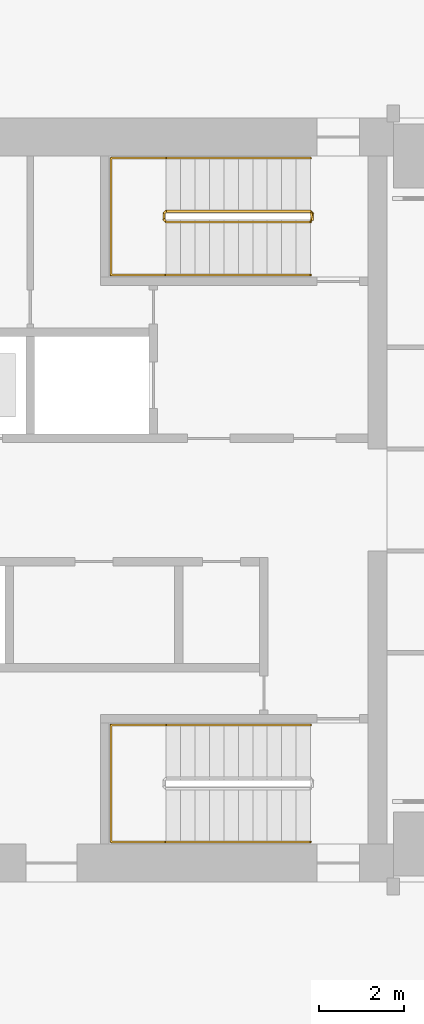
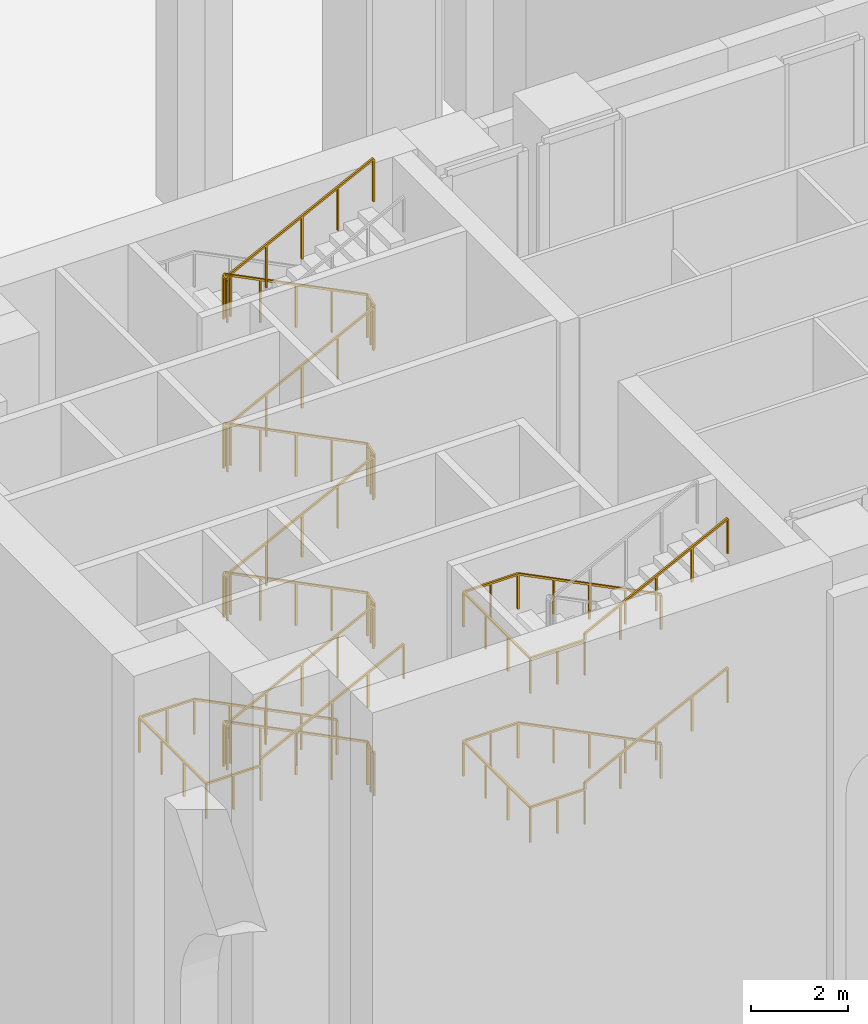
# One storey, part 13 of 18: 4 railings.
"""IFC4 building model written with IfcOpenShell, lengths in metres."""

from ifc_helpers import new_model, si_unit, direction, frame, origin, origin_2d, place, context, subcontext, project, spatial, rectangle, extrude, material, type_object, element, save


model = new_model("IFC4")

# Units and contexts
model_context = context("Model", 3, precision=1e-05, world=origin(), true_north=direction((0.0, 1.0)))
body_context = subcontext(model_context, "Body", "Model", "MODEL_VIEW")
ifc_project = project(units=[si_unit("LENGTHUNIT", "METRE"), si_unit("AREAUNIT", "SQUARE_METRE"), si_unit("VOLUMEUNIT", "CUBIC_METRE"), si_unit("PLANEANGLEUNIT", "RADIAN"), si_unit("MASSUNIT", "GRAM", prefix="KILO")], contexts=[model_context])

# Site, building, storey
site_placement = place(None, origin())
site = spatial("IfcSite", under=ifc_project, at=site_placement, CompositionType="ELEMENT")
building_placement = place(site_placement, origin())
building = spatial("IfcBuilding", under=site, at=building_placement, Name="Perihelion Cross Residences", CompositionType="ELEMENT")
storey_placement = place(building_placement, origin())
storey = spatial("IfcBuildingStorey", under=building, at=storey_placement, Name="L00", CompositionType="ELEMENT", Elevation=0.0)

# Railings
ifc_material_1 = material(Name="Stainless steel", Category="steel")
railing_type_1 = type_object("IfcRailingType", Name="Stair guard 1100", PredefinedType="GUARDRAIL", material=ifc_material_1)
railing_1_placement = place(storey_placement, frame((-23.35009765625, 6.60009765625, 0.0)))
element("IfcRailing", 1, at=railing_1_placement, inside=storey, type_object=railing_type_1, Name="L00 ST-W1 stair guard 1", PredefinedType="GUARDRAIL", context=body_context, shape_type="SweptSolid", body=[
    extrude(rectangle(XDim=0.048095703125, YDim=0.048095703125, at=origin_2d()), frame((0.0, 0.0, 1.076171875), z_axis=(0.0, 1.0, 0.0), x_axis=(-1.0, 0.0, 0.0)), (0.0, 0.0, 1.0), 0.14990234375),
    extrude(rectangle(XDim=0.048095703125, YDim=0.048095703125, at=origin_2d()), frame((0.0, 0.14990234375, 1.076171875), z_axis=(-0.270004540015, 0.271328091682, 0.923839063385), x_axis=(-0.708833529934, -0.705375805398, 0.0)), (0.0, 0.0, 1.0), 0.1845703125),
    extrude(rectangle(XDim=0.048095703125, YDim=0.048095703125, at=origin_2d()), frame((-0.0498046875, 0.199951171875, 1.24658203125), z_axis=(-0.893951692422, 0.0, 0.448163331406), x_axis=(0.0, -1.0, 0.0)), (0.0, 0.0, 1.0), 3.803466796875),
    extrude(rectangle(XDim=0.048095703125, YDim=0.048095703125, at=origin_2d()), frame((-3.449951171875, 0.199951171875, 2.951171875), z_axis=(-0.707106781187, -0.707106781187, 0.0), x_axis=(0.707106781187, -0.707106781187, 0.0)), (0.0, 0.0, 1.0), 0.07080078125),
    extrude(rectangle(XDim=0.048095703125, YDim=0.048095703125, at=origin_2d()), frame((-3.5, 0.14990234375, 2.951171875), z_axis=(0.0, -1.0, 0.0), x_axis=(1.0, 0.0, 0.0)), (0.0, 0.0, 1.0), 0.14990234375),
    extrude(rectangle(XDim=0.048095703125, YDim=0.048095703125, at=origin_2d()), frame((-3.5, 0.0, 2.951171875), z_axis=(0.271230943075, -0.271230943075, 0.923508284228), x_axis=(0.707106781187, 0.707106781187, 0.0)), (0.0, 0.0, 1.0), 0.1845703125),
    extrude(rectangle(XDim=0.048095703125, YDim=0.048095703125, at=origin_2d()), frame((-3.449951171875, -0.050048828125, 3.12158203125), z_axis=(0.893951692422, 0.0, 0.448163331406), x_axis=(0.0, 1.0, 0.0)), (0.0, 0.0, 1.0), 3.803466796875),
    extrude(rectangle(XDim=0.048095703125, YDim=0.048095703125, at=origin_2d()), frame((-0.0498046875, -0.050048828125, 4.826171875), z_axis=(0.241699205484, 0.970351222016, 0.0), x_axis=(-0.970351222016, 0.241699205484, 0.0)), (0.0, 0.0, 1.0), 0.2060546875),
    extrude(rectangle(XDim=0.048095703125, YDim=0.048095703125, at=origin_2d()), frame((0.0, 0.14990234375, 4.826171875), z_axis=(0.0, -1.0, 0.0), x_axis=(1.0, 0.0, 0.0)), (0.0, 0.0, 1.0), 0.14990234375),
    extrude(rectangle(XDim=0.048095703125, YDim=0.048095703125, at=origin_2d()), frame((0.0, 0.0, 4.826171875), z_axis=(-0.186258189966, 0.747771850895, 0.637295179395), x_axis=(-0.970351222016, -0.241699205484, 0.0)), (0.0, 0.0, 1.0), 0.267333984375),
    extrude(rectangle(XDim=0.048095703125, YDim=0.048095703125, at=origin_2d()), frame((-0.0498046875, 0.199951171875, 4.99658203125), z_axis=(-0.893951692422, 0.0, 0.448163331406), x_axis=(0.0, -1.0, 0.0)), (0.0, 0.0, 1.0), 3.803466796875),
    extrude(rectangle(XDim=0.048095703125, YDim=0.048095703125, at=origin_2d()), frame((-3.449951171875, 0.199951171875, 6.701171875), z_axis=(-0.707106781187, -0.707106781187, 0.0), x_axis=(0.707106781187, -0.707106781187, 0.0)), (0.0, 0.0, 1.0), 0.07080078125),
    extrude(rectangle(XDim=0.048095703125, YDim=0.048095703125, at=origin_2d()), frame((-3.5, 0.14990234375, 6.701171875), z_axis=(0.0, -1.0, 0.0), x_axis=(1.0, 0.0, 0.0)), (0.0, 0.0, 1.0), 0.14990234375),
    extrude(rectangle(XDim=0.048095703125, YDim=0.048095703125, at=origin_2d()), frame((-3.5, 0.0, 6.701171875), z_axis=(0.271230943075, -0.271230943075, 0.923508284228), x_axis=(0.707106781187, 0.707106781187, 0.0)), (0.0, 0.0, 1.0), 0.1845703125),
    extrude(rectangle(XDim=0.048095703125, YDim=0.048095703125, at=origin_2d()), frame((-3.449951171875, -0.050048828125, 6.87158203125), z_axis=(0.893951692422, 0.0, 0.448163331406), x_axis=(0.0, 1.0, 0.0)), (0.0, 0.0, 1.0), 3.803466796875),
    extrude(rectangle(XDim=0.048095703125, YDim=0.048095703125, at=origin_2d()), frame((-0.0498046875, -0.050048828125, 8.576171875), z_axis=(0.241699205484, 0.970351222016, 0.0), x_axis=(-0.970351222016, 0.241699205484, 0.0)), (0.0, 0.0, 1.0), 0.2060546875),
    extrude(rectangle(XDim=0.048095703125, YDim=0.048095703125, at=origin_2d()), frame((0.0, 0.14990234375, 8.576171875), z_axis=(0.0, -1.0, 0.0), x_axis=(1.0, 0.0, 0.0)), (0.0, 0.0, 1.0), 0.14990234375),
    extrude(rectangle(XDim=0.048095703125, YDim=0.048095703125, at=origin_2d()), frame((0.0, 0.0, 8.576171875), z_axis=(-0.186258189966, 0.747771850895, 0.637295179395), x_axis=(-0.970351222016, -0.241699205484, 0.0)), (0.0, 0.0, 1.0), 0.267333984375),
    extrude(rectangle(XDim=0.048095703125, YDim=0.048095703125, at=origin_2d()), frame((-0.0498046875, 0.199951171875, 8.74658203125), z_axis=(-0.893951692422, 0.0, 0.448163331406), x_axis=(0.0, -1.0, 0.0)), (0.0, 0.0, 1.0), 3.803466796875),
    extrude(rectangle(XDim=0.048095703125, YDim=0.048095703125, at=origin_2d()), frame((-3.449951171875, 0.199951171875, 10.451171875), z_axis=(-0.707106781187, -0.707106781187, 0.0), x_axis=(0.707106781187, -0.707106781187, 0.0)), (0.0, 0.0, 1.0), 0.07080078125),
    extrude(rectangle(XDim=0.048095703125, YDim=0.048095703125, at=origin_2d()), frame((-3.5, 0.14990234375, 10.451171875), z_axis=(0.0, -1.0, 0.0), x_axis=(1.0, 0.0, 0.0)), (0.0, 0.0, 1.0), 0.14990234375),
    extrude(rectangle(XDim=0.048095703125, YDim=0.048095703125, at=origin_2d()), frame((-3.5, 0.0, 10.451171875), z_axis=(0.271230943075, -0.271230943075, 0.923508284228), x_axis=(0.707106781187, 0.707106781187, 0.0)), (0.0, 0.0, 1.0), 0.1845703125),
    extrude(rectangle(XDim=0.048095703125, YDim=0.048095703125, at=origin_2d()), frame((-3.449951171875, -0.050048828125, 10.62158203125), z_axis=(0.893951692422, 0.0, 0.448163331406), x_axis=(0.0, 1.0, 0.0)), (0.0, 0.0, 1.0), 3.803466796875),
    extrude(rectangle(XDim=0.048095703125, YDim=0.048095703125, at=origin_2d()), frame((-0.0498046875, -0.050048828125, 12.326171875), z_axis=(0.241699205484, 0.970351222016, 0.0), x_axis=(-0.970351222016, 0.241699205484, 0.0)), (0.0, 0.0, 1.0), 0.2060546875),
    extrude(rectangle(XDim=0.048095703125, YDim=0.048095703125, at=origin_2d()), frame((0.0, 0.14990234375, 12.326171875), z_axis=(0.0, -1.0, 0.0), x_axis=(1.0, 0.0, 0.0)), (0.0, 0.0, 1.0), 0.14990234375),
    extrude(rectangle(XDim=0.048095703125, YDim=0.048095703125, at=origin_2d()), frame((0.0, 0.0, 12.326171875), z_axis=(-0.186258189966, 0.747771850895, 0.637295179395), x_axis=(-0.970351222016, -0.241699205484, 0.0)), (0.0, 0.0, 1.0), 0.267333984375),
    extrude(rectangle(XDim=0.048095703125, YDim=0.048095703125, at=origin_2d()), frame((-0.0498046875, 0.199951171875, 12.49658203125), z_axis=(-0.893951692422, 0.0, 0.448163331406), x_axis=(0.0, -1.0, 0.0)), (0.0, 0.0, 1.0), 3.803466796875),
    extrude(rectangle(XDim=0.048095703125, YDim=0.048095703125, at=origin_2d()), frame((-3.449951171875, 0.199951171875, 14.201171875), z_axis=(-0.707106781187, -0.707106781187, 0.0), x_axis=(0.707106781187, -0.707106781187, 0.0)), (0.0, 0.0, 1.0), 0.07080078125),
    extrude(rectangle(XDim=0.048095703125, YDim=0.048095703125, at=origin_2d()), frame((-3.5, 0.14990234375, 14.201171875), z_axis=(0.0, -1.0, 0.0), x_axis=(1.0, 0.0, 0.0)), (0.0, 0.0, 1.0), 0.14990234375),
    extrude(rectangle(XDim=0.048095703125, YDim=0.048095703125, at=origin_2d()), frame((-3.5, 0.0, 14.201171875), z_axis=(0.271230943075, -0.271230943075, 0.923508284228), x_axis=(0.707106781187, 0.707106781187, 0.0)), (0.0, 0.0, 1.0), 0.1845703125),
    extrude(rectangle(XDim=0.048095703125, YDim=0.048095703125, at=origin_2d()), frame((-3.449951171875, -0.050048828125, 14.37158203125), z_axis=(0.893951692422, 0.0, 0.448163331406), x_axis=(0.0, 1.0, 0.0)), (0.0, 0.0, 1.0), 3.803466796875),
    extrude(rectangle(XDim=0.0419921875, YDim=0.0419921875, at=origin_2d()), origin(), (0.0, 0.0, 1.0), 1.052001953125),
    extrude(rectangle(XDim=0.0419921875, YDim=0.0419921875, at=origin_2d()), frame((0.0, 0.14990234375, 0.0)), (0.0, 0.0, 1.0), 1.052001953125),
    extrude(rectangle(XDim=0.0419921875, YDim=0.0419921875, at=origin_2d()), frame((-0.0498046875, 0.199951171875, 0.17041015625)), (0.0, 0.0, 1.0), 1.052001953125),
    extrude(rectangle(XDim=0.0419921875, YDim=0.0419921875, at=origin_2d()), frame((-0.89990234375, 0.199951171875, 0.5966796875)), (0.0, 0.0, 1.0), 1.052001953125),
    extrude(rectangle(XDim=0.0419921875, YDim=0.0419921875, at=origin_2d()), frame((-1.75, 0.199951171875, 1.022705078125)), (0.0, 0.0, 1.0), 1.052001953125),
    extrude(rectangle(XDim=0.0419921875, YDim=0.0419921875, at=origin_2d()), frame((-2.599853515625, 0.199951171875, 1.44873046875)), (0.0, 0.0, 1.0), 1.052001953125),
    extrude(rectangle(XDim=0.0419921875, YDim=0.0419921875, at=origin_2d()), frame((-3.449951171875, 0.199951171875, 1.875)), (0.0, 0.0, 1.0), 1.052001953125),
    extrude(rectangle(XDim=0.0419921875, YDim=0.0419921875, at=origin_2d()), frame((-3.5, 0.14990234375, 1.875)), (0.0, 0.0, 1.0), 1.052001953125),
    extrude(rectangle(XDim=0.0419921875, YDim=0.0419921875, at=origin_2d()), frame((-3.5, 0.0, 1.875)), (0.0, 0.0, 1.0), 1.052001953125),
    extrude(rectangle(XDim=0.0419921875, YDim=0.0419921875, at=origin_2d()), frame((-3.449951171875, -0.050048828125, 2.04541015625)), (0.0, 0.0, 1.0), 1.052001953125),
    extrude(rectangle(XDim=0.0419921875, YDim=0.0419921875, at=origin_2d()), frame((-2.599853515625, -0.050048828125, 2.4716796875)), (0.0, 0.0, 1.0), 1.052001953125),
    extrude(rectangle(XDim=0.0419921875, YDim=0.0419921875, at=origin_2d()), frame((-1.75, -0.050048828125, 2.897705078125)), (0.0, 0.0, 1.0), 1.052001953125),
    extrude(rectangle(XDim=0.0419921875, YDim=0.0419921875, at=origin_2d()), frame((-0.89990234375, -0.050048828125, 3.32373046875)), (0.0, 0.0, 1.0), 1.052001953125),
    extrude(rectangle(XDim=0.0419921875, YDim=0.0419921875, at=origin_2d()), frame((-0.0498046875, -0.050048828125, 3.75)), (0.0, 0.0, 1.0), 1.052001953125),
    extrude(rectangle(XDim=0.0419921875, YDim=0.0419921875, at=origin_2d()), frame((0.0, 0.14990234375, 3.75)), (0.0, 0.0, 1.0), 1.052001953125),
    extrude(rectangle(XDim=0.0419921875, YDim=0.0419921875, at=origin_2d()), frame((0.0, 0.0, 3.75)), (0.0, 0.0, 1.0), 1.052001953125),
    extrude(rectangle(XDim=0.0419921875, YDim=0.0419921875, at=origin_2d()), frame((-0.0498046875, 0.199951171875, 3.92041015625)), (0.0, 0.0, 1.0), 1.052001953125),
    extrude(rectangle(XDim=0.0419921875, YDim=0.0419921875, at=origin_2d()), frame((-0.89990234375, 0.199951171875, 4.3466796875)), (0.0, 0.0, 1.0), 1.052001953125),
    extrude(rectangle(XDim=0.0419921875, YDim=0.0419921875, at=origin_2d()), frame((-1.75, 0.199951171875, 4.772705078125)), (0.0, 0.0, 1.0), 1.052001953125),
    extrude(rectangle(XDim=0.0419921875, YDim=0.0419921875, at=origin_2d()), frame((-2.599853515625, 0.199951171875, 5.19873046875)), (0.0, 0.0, 1.0), 1.052001953125),
    extrude(rectangle(XDim=0.0419921875, YDim=0.0419921875, at=origin_2d()), frame((-3.449951171875, 0.199951171875, 5.625)), (0.0, 0.0, 1.0), 1.052001953125),
    extrude(rectangle(XDim=0.0419921875, YDim=0.0419921875, at=origin_2d()), frame((-3.5, 0.14990234375, 5.625)), (0.0, 0.0, 1.0), 1.052001953125),
    extrude(rectangle(XDim=0.0419921875, YDim=0.0419921875, at=origin_2d()), frame((-3.5, 0.0, 5.625)), (0.0, 0.0, 1.0), 1.052001953125),
    extrude(rectangle(XDim=0.0419921875, YDim=0.0419921875, at=origin_2d()), frame((-3.449951171875, -0.050048828125, 5.79541015625)), (0.0, 0.0, 1.0), 1.052001953125),
    extrude(rectangle(XDim=0.0419921875, YDim=0.0419921875, at=origin_2d()), frame((-2.599853515625, -0.050048828125, 6.2216796875)), (0.0, 0.0, 1.0), 1.052001953125),
    extrude(rectangle(XDim=0.0419921875, YDim=0.0419921875, at=origin_2d()), frame((-1.75, -0.050048828125, 6.647705078125)), (0.0, 0.0, 1.0), 1.052001953125),
    extrude(rectangle(XDim=0.0419921875, YDim=0.0419921875, at=origin_2d()), frame((-0.89990234375, -0.050048828125, 7.07373046875)), (0.0, 0.0, 1.0), 1.052001953125),
    extrude(rectangle(XDim=0.0419921875, YDim=0.0419921875, at=origin_2d()), frame((-0.0498046875, -0.050048828125, 7.5)), (0.0, 0.0, 1.0), 1.052001953125),
    extrude(rectangle(XDim=0.0419921875, YDim=0.0419921875, at=origin_2d()), frame((0.0, 0.14990234375, 7.5)), (0.0, 0.0, 1.0), 1.052001953125),
    extrude(rectangle(XDim=0.0419921875, YDim=0.0419921875, at=origin_2d()), frame((0.0, 0.0, 7.5)), (0.0, 0.0, 1.0), 1.052001953125),
    extrude(rectangle(XDim=0.0419921875, YDim=0.0419921875, at=origin_2d()), frame((-0.0498046875, 0.199951171875, 7.67041015625)), (0.0, 0.0, 1.0), 1.052001953125),
    extrude(rectangle(XDim=0.0419921875, YDim=0.0419921875, at=origin_2d()), frame((-0.89990234375, 0.199951171875, 8.0966796875)), (0.0, 0.0, 1.0), 1.052001953125),
    extrude(rectangle(XDim=0.0419921875, YDim=0.0419921875, at=origin_2d()), frame((-1.75, 0.199951171875, 8.522705078125)), (0.0, 0.0, 1.0), 1.052001953125),
    extrude(rectangle(XDim=0.0419921875, YDim=0.0419921875, at=origin_2d()), frame((-2.599853515625, 0.199951171875, 8.94873046875)), (0.0, 0.0, 1.0), 1.052001953125),
    extrude(rectangle(XDim=0.0419921875, YDim=0.0419921875, at=origin_2d()), frame((-3.449951171875, 0.199951171875, 9.375)), (0.0, 0.0, 1.0), 1.052001953125),
    extrude(rectangle(XDim=0.0419921875, YDim=0.0419921875, at=origin_2d()), frame((-3.5, 0.14990234375, 9.375)), (0.0, 0.0, 1.0), 1.052001953125),
    extrude(rectangle(XDim=0.0419921875, YDim=0.0419921875, at=origin_2d()), frame((-3.5, 0.0, 9.375)), (0.0, 0.0, 1.0), 1.052001953125),
    extrude(rectangle(XDim=0.0419921875, YDim=0.0419921875, at=origin_2d()), frame((-3.449951171875, -0.050048828125, 9.54541015625)), (0.0, 0.0, 1.0), 1.052001953125),
    extrude(rectangle(XDim=0.0419921875, YDim=0.0419921875, at=origin_2d()), frame((-2.599853515625, -0.050048828125, 9.9716796875)), (0.0, 0.0, 1.0), 1.052001953125),
    extrude(rectangle(XDim=0.0419921875, YDim=0.0419921875, at=origin_2d()), frame((-1.75, -0.050048828125, 10.397705078125)), (0.0, 0.0, 1.0), 1.052001953125),
    extrude(rectangle(XDim=0.0419921875, YDim=0.0419921875, at=origin_2d()), frame((-0.89990234375, -0.050048828125, 10.82373046875)), (0.0, 0.0, 1.0), 1.052001953125),
    extrude(rectangle(XDim=0.0419921875, YDim=0.0419921875, at=origin_2d()), frame((-0.0498046875, -0.050048828125, 11.25)), (0.0, 0.0, 1.0), 1.052001953125),
    extrude(rectangle(XDim=0.0419921875, YDim=0.0419921875, at=origin_2d()), frame((0.0, 0.14990234375, 11.25)), (0.0, 0.0, 1.0), 1.052001953125),
    extrude(rectangle(XDim=0.0419921875, YDim=0.0419921875, at=origin_2d()), frame((0.0, 0.0, 11.25)), (0.0, 0.0, 1.0), 1.052001953125),
    extrude(rectangle(XDim=0.0419921875, YDim=0.0419921875, at=origin_2d()), frame((-0.0498046875, 0.199951171875, 11.42041015625)), (0.0, 0.0, 1.0), 1.052001953125),
    extrude(rectangle(XDim=0.0419921875, YDim=0.0419921875, at=origin_2d()), frame((-0.89990234375, 0.199951171875, 11.8466796875)), (0.0, 0.0, 1.0), 1.052001953125),
    extrude(rectangle(XDim=0.0419921875, YDim=0.0419921875, at=origin_2d()), frame((-1.75, 0.199951171875, 12.272705078125)), (0.0, 0.0, 1.0), 1.052001953125),
    extrude(rectangle(XDim=0.0419921875, YDim=0.0419921875, at=origin_2d()), frame((-2.599853515625, 0.199951171875, 12.69873046875)), (0.0, 0.0, 1.0), 1.052001953125),
    extrude(rectangle(XDim=0.0419921875, YDim=0.0419921875, at=origin_2d()), frame((-3.449951171875, 0.199951171875, 13.125)), (0.0, 0.0, 1.0), 1.052001953125),
    extrude(rectangle(XDim=0.0419921875, YDim=0.0419921875, at=origin_2d()), frame((-3.5, 0.14990234375, 13.125)), (0.0, 0.0, 1.0), 1.052001953125),
    extrude(rectangle(XDim=0.0419921875, YDim=0.0419921875, at=origin_2d()), frame((-3.5, 0.0, 13.125)), (0.0, 0.0, 1.0), 1.052001953125),
    extrude(rectangle(XDim=0.0419921875, YDim=0.0419921875, at=origin_2d()), frame((-3.449951171875, -0.050048828125, 13.29541015625)), (0.0, 0.0, 1.0), 1.052001953125),
    extrude(rectangle(XDim=0.0419921875, YDim=0.0419921875, at=origin_2d()), frame((-2.599853515625, -0.050048828125, 13.7216796875)), (0.0, 0.0, 1.0), 1.052001953125),
    extrude(rectangle(XDim=0.0419921875, YDim=0.0419921875, at=origin_2d()), frame((-1.75, -0.050048828125, 14.147705078125)), (0.0, 0.0, 1.0), 1.052001953125),
    extrude(rectangle(XDim=0.0419921875, YDim=0.0419921875, at=origin_2d()), frame((-0.89990234375, -0.050048828125, 14.57373046875)), (0.0, 0.0, 1.0), 1.052001953125),
    extrude(rectangle(XDim=0.0419921875, YDim=0.0419921875, at=origin_2d()), frame((-0.0498046875, -0.050048828125, 15.0)), (0.0, 0.0, 1.0), 1.052001953125),
])
ifc_material_2 = material(Name="Stainless steel", Category="steel")
railing_type_2 = type_object("IfcRailingType", Name="Stair handrail 900", PredefinedType="HANDRAIL", material=ifc_material_2)
railing_2_placement = place(storey_placement, frame((-23.39990234375, 8.050048828125, 0.17041015625)))
element("IfcRailing", 2, at=railing_2_placement, inside=storey, type_object=railing_type_2, Name="L00 ST-W1 stair handrail 1", PredefinedType="HANDRAIL", context=body_context, shape_type="SweptSolid", body=[
    extrude(rectangle(XDim=0.048095703125, YDim=0.048095703125, at=origin_2d()), frame((0.0, 0.0, 0.8759765625), z_axis=(-0.893951692422, 0.0, 0.448163331406), x_axis=(0.0, -1.0, 0.0)), (0.0, 0.0, 1.0), 3.803466796875),
    extrude(rectangle(XDim=0.048095703125, YDim=0.048095703125, at=origin_2d()), frame((-3.400146484375, 0.0, 2.58056640625), z_axis=(-1.0, 0.0, 0.0), x_axis=(0.0, -1.0, 0.0)), (0.0, 0.0, 1.0), 1.300048828125),
    extrude(rectangle(XDim=0.048095703125, YDim=0.048095703125, at=origin_2d()), frame((-4.7001953125, 0.0, 2.58056640625), z_axis=(0.0, -1.0, 0.0), x_axis=(1.0, 0.0, 0.0)), (0.0, 0.0, 1.0), 2.75),
    extrude(rectangle(XDim=0.048095703125, YDim=0.048095703125, at=origin_2d()), frame((-4.7001953125, -2.75, 2.58056640625), z_axis=(1.0, 0.0, 0.0), x_axis=(0.0, 1.0, 0.0)), (0.0, 0.0, 1.0), 1.300048828125),
    extrude(rectangle(XDim=0.048095703125, YDim=0.048095703125, at=origin_2d()), frame((-3.400146484375, -2.75, 2.58056640625), z_axis=(0.0, 0.0, 1.0), x_axis=(1.0, 0.0, 0.0)), (0.0, 0.0, 1.0), 0.17041015625),
    extrude(rectangle(XDim=0.048095703125, YDim=0.048095703125, at=origin_2d()), frame((-3.400146484375, -2.75, 2.7509765625), z_axis=(0.893951692422, 0.0, 0.448163331406), x_axis=(0.0, 1.0, 0.0)), (0.0, 0.0, 1.0), 3.803466796875),
    extrude(rectangle(XDim=0.0419921875, YDim=0.0419921875, at=origin_2d()), origin(), (0.0, 0.0, 1.0), 0.851806640625),
    extrude(rectangle(XDim=0.0419921875, YDim=0.0419921875, at=origin_2d()), frame((-0.85009765625, 0.0, 0.42626953125)), (0.0, 0.0, 1.0), 0.851806640625),
    extrude(rectangle(XDim=0.0419921875, YDim=0.0419921875, at=origin_2d()), frame((-1.7001953125, 0.0, 0.852294921875)), (0.0, 0.0, 1.0), 0.851806640625),
    extrude(rectangle(XDim=0.0419921875, YDim=0.0419921875, at=origin_2d()), frame((-2.550048828125, 0.0, 1.2783203125)), (0.0, 0.0, 1.0), 0.851806640625),
    extrude(rectangle(XDim=0.0419921875, YDim=0.0419921875, at=origin_2d()), frame((-3.400146484375, 0.0, 1.70458984375)), (0.0, 0.0, 1.0), 0.851806640625),
    extrude(rectangle(XDim=0.0419921875, YDim=0.0419921875, at=origin_2d()), frame((-4.05029296875, 0.0, 1.70458984375)), (0.0, 0.0, 1.0), 0.851806640625),
    extrude(rectangle(XDim=0.0419921875, YDim=0.0419921875, at=origin_2d()), frame((-4.7001953125, 0.0, 1.70458984375)), (0.0, 0.0, 1.0), 0.851806640625),
    extrude(rectangle(XDim=0.0419921875, YDim=0.0419921875, at=origin_2d()), frame((-4.7001953125, -0.916748046875, 1.70458984375)), (0.0, 0.0, 1.0), 0.851806640625),
    extrude(rectangle(XDim=0.0419921875, YDim=0.0419921875, at=origin_2d()), frame((-4.7001953125, -1.833251953125, 1.70458984375)), (0.0, 0.0, 1.0), 0.851806640625),
    extrude(rectangle(XDim=0.0419921875, YDim=0.0419921875, at=origin_2d()), frame((-4.7001953125, -2.75, 1.70458984375)), (0.0, 0.0, 1.0), 0.851806640625),
    extrude(rectangle(XDim=0.0419921875, YDim=0.0419921875, at=origin_2d()), frame((-4.05029296875, -2.75, 1.70458984375)), (0.0, 0.0, 1.0), 0.851806640625),
    extrude(rectangle(XDim=0.0419921875, YDim=0.0419921875, at=origin_2d()), frame((-3.400146484375, -2.75, 1.70458984375)), (0.0, 0.0, 1.0), 0.851806640625),
    extrude(rectangle(XDim=0.0419921875, YDim=0.0419921875, at=origin_2d()), frame((-3.400146484375, -2.75, 1.875)), (0.0, 0.0, 1.0), 0.851806640625),
    extrude(rectangle(XDim=0.0419921875, YDim=0.0419921875, at=origin_2d()), frame((-2.550048828125, -2.75, 2.30126953125)), (0.0, 0.0, 1.0), 0.851806640625),
    extrude(rectangle(XDim=0.0419921875, YDim=0.0419921875, at=origin_2d()), frame((-1.7001953125, -2.75, 2.727294921875)), (0.0, 0.0, 1.0), 0.851806640625),
    extrude(rectangle(XDim=0.0419921875, YDim=0.0419921875, at=origin_2d()), frame((-0.85009765625, -2.75, 3.1533203125)), (0.0, 0.0, 1.0), 0.851806640625),
    extrude(rectangle(XDim=0.0419921875, YDim=0.0419921875, at=origin_2d()), frame((0.0, -2.75, 3.57958984375)), (0.0, 0.0, 1.0), 0.851806640625),
])
railing_3_placement = place(storey_placement, frame((-23.39990234375, -5.300048828125, 7.67041015625)))
element("IfcRailing", 3, at=railing_3_placement, inside=storey, type_object=railing_type_2, Name="L00 ST-W2 stair handrail 3", PredefinedType="HANDRAIL", context=body_context, shape_type="SweptSolid", body=[
    extrude(rectangle(XDim=0.048095703125, YDim=0.048095703125, at=origin_2d()), frame((0.0, 0.0, 0.8759765625), z_axis=(-0.893951692422, 0.0, 0.448163331406), x_axis=(0.0, -1.0, 0.0)), (0.0, 0.0, 1.0), 3.803466796875),
    extrude(rectangle(XDim=0.048095703125, YDim=0.048095703125, at=origin_2d()), frame((-3.400146484375, 0.0, 2.58056640625), z_axis=(-1.0, 0.0, 0.0), x_axis=(0.0, -1.0, 0.0)), (0.0, 0.0, 1.0), 1.300048828125),
    extrude(rectangle(XDim=0.048095703125, YDim=0.048095703125, at=origin_2d()), frame((-4.7001953125, 0.0, 2.58056640625), z_axis=(0.0, -1.0, 0.0), x_axis=(1.0, 0.0, 0.0)), (0.0, 0.0, 1.0), 2.75),
    extrude(rectangle(XDim=0.048095703125, YDim=0.048095703125, at=origin_2d()), frame((-4.7001953125, -2.75, 2.58056640625), z_axis=(1.0, 0.0, 0.0), x_axis=(0.0, 1.0, 0.0)), (0.0, 0.0, 1.0), 1.300048828125),
    extrude(rectangle(XDim=0.048095703125, YDim=0.048095703125, at=origin_2d()), frame((-3.400146484375, -2.75, 2.58056640625), z_axis=(0.0, 0.0, 1.0), x_axis=(1.0, 0.0, 0.0)), (0.0, 0.0, 1.0), 0.17041015625),
    extrude(rectangle(XDim=0.048095703125, YDim=0.048095703125, at=origin_2d()), frame((-3.400146484375, -2.75, 2.7509765625), z_axis=(0.893951692422, 0.0, 0.448163331406), x_axis=(0.0, 1.0, 0.0)), (0.0, 0.0, 1.0), 3.803466796875),
    extrude(rectangle(XDim=0.0419921875, YDim=0.0419921875, at=origin_2d()), origin(), (0.0, 0.0, 1.0), 0.851806640625),
    extrude(rectangle(XDim=0.0419921875, YDim=0.0419921875, at=origin_2d()), frame((-0.85009765625, 0.0, 0.42626953125)), (0.0, 0.0, 1.0), 0.851806640625),
    extrude(rectangle(XDim=0.0419921875, YDim=0.0419921875, at=origin_2d()), frame((-1.7001953125, 0.0, 0.852294921875)), (0.0, 0.0, 1.0), 0.851806640625),
    extrude(rectangle(XDim=0.0419921875, YDim=0.0419921875, at=origin_2d()), frame((-2.550048828125, 0.0, 1.2783203125)), (0.0, 0.0, 1.0), 0.851806640625),
    extrude(rectangle(XDim=0.0419921875, YDim=0.0419921875, at=origin_2d()), frame((-3.400146484375, 0.0, 1.70458984375)), (0.0, 0.0, 1.0), 0.851806640625),
    extrude(rectangle(XDim=0.0419921875, YDim=0.0419921875, at=origin_2d()), frame((-4.05029296875, 0.0, 1.70458984375)), (0.0, 0.0, 1.0), 0.851806640625),
    extrude(rectangle(XDim=0.0419921875, YDim=0.0419921875, at=origin_2d()), frame((-4.7001953125, 0.0, 1.70458984375)), (0.0, 0.0, 1.0), 0.851806640625),
    extrude(rectangle(XDim=0.0419921875, YDim=0.0419921875, at=origin_2d()), frame((-4.7001953125, -0.916748046875, 1.70458984375)), (0.0, 0.0, 1.0), 0.851806640625),
    extrude(rectangle(XDim=0.0419921875, YDim=0.0419921875, at=origin_2d()), frame((-4.7001953125, -1.833251953125, 1.70458984375)), (0.0, 0.0, 1.0), 0.851806640625),
    extrude(rectangle(XDim=0.0419921875, YDim=0.0419921875, at=origin_2d()), frame((-4.7001953125, -2.75, 1.70458984375)), (0.0, 0.0, 1.0), 0.851806640625),
    extrude(rectangle(XDim=0.0419921875, YDim=0.0419921875, at=origin_2d()), frame((-4.05029296875, -2.75, 1.70458984375)), (0.0, 0.0, 1.0), 0.851806640625),
    extrude(rectangle(XDim=0.0419921875, YDim=0.0419921875, at=origin_2d()), frame((-3.400146484375, -2.75, 1.70458984375)), (0.0, 0.0, 1.0), 0.851806640625),
    extrude(rectangle(XDim=0.0419921875, YDim=0.0419921875, at=origin_2d()), frame((-3.400146484375, -2.75, 1.875)), (0.0, 0.0, 1.0), 0.851806640625),
    extrude(rectangle(XDim=0.0419921875, YDim=0.0419921875, at=origin_2d()), frame((-2.550048828125, -2.75, 2.30126953125)), (0.0, 0.0, 1.0), 0.851806640625),
    extrude(rectangle(XDim=0.0419921875, YDim=0.0419921875, at=origin_2d()), frame((-1.7001953125, -2.75, 2.727294921875)), (0.0, 0.0, 1.0), 0.851806640625),
    extrude(rectangle(XDim=0.0419921875, YDim=0.0419921875, at=origin_2d()), frame((-0.85009765625, -2.75, 3.1533203125)), (0.0, 0.0, 1.0), 0.851806640625),
    extrude(rectangle(XDim=0.0419921875, YDim=0.0419921875, at=origin_2d()), frame((0.0, -2.75, 3.57958984375)), (0.0, 0.0, 1.0), 0.851806640625),
])
railing_4_placement = place(storey_placement, frame((-23.39990234375, -5.300048828125, 11.42041015625)))
element("IfcRailing", 4, at=railing_4_placement, inside=storey, type_object=railing_type_2, Name="L00 ST-W2 stair handrail 4", PredefinedType="HANDRAIL", context=body_context, shape_type="SweptSolid", body=[
    extrude(rectangle(XDim=0.048095703125, YDim=0.048095703125, at=origin_2d()), frame((0.0, 0.0, 0.8759765625), z_axis=(-0.893951692422, 0.0, 0.448163331406), x_axis=(0.0, -1.0, 0.0)), (0.0, 0.0, 1.0), 3.803466796875),
    extrude(rectangle(XDim=0.048095703125, YDim=0.048095703125, at=origin_2d()), frame((-3.400146484375, 0.0, 2.58056640625), z_axis=(-1.0, 0.0, 0.0), x_axis=(0.0, -1.0, 0.0)), (0.0, 0.0, 1.0), 1.300048828125),
    extrude(rectangle(XDim=0.048095703125, YDim=0.048095703125, at=origin_2d()), frame((-4.7001953125, 0.0, 2.58056640625), z_axis=(0.0, -1.0, 0.0), x_axis=(1.0, 0.0, 0.0)), (0.0, 0.0, 1.0), 2.75),
    extrude(rectangle(XDim=0.048095703125, YDim=0.048095703125, at=origin_2d()), frame((-4.7001953125, -2.75, 2.58056640625), z_axis=(1.0, 0.0, 0.0), x_axis=(0.0, 1.0, 0.0)), (0.0, 0.0, 1.0), 1.300048828125),
    extrude(rectangle(XDim=0.048095703125, YDim=0.048095703125, at=origin_2d()), frame((-3.400146484375, -2.75, 2.58056640625), z_axis=(0.0, 0.0, 1.0), x_axis=(1.0, 0.0, 0.0)), (0.0, 0.0, 1.0), 0.17041015625),
    extrude(rectangle(XDim=0.048095703125, YDim=0.048095703125, at=origin_2d()), frame((-3.400146484375, -2.75, 2.7509765625), z_axis=(0.893951692422, 0.0, 0.448163331406), x_axis=(0.0, 1.0, 0.0)), (0.0, 0.0, 1.0), 3.803466796875),
    extrude(rectangle(XDim=0.0419921875, YDim=0.0419921875, at=origin_2d()), origin(), (0.0, 0.0, 1.0), 0.851806640625),
    extrude(rectangle(XDim=0.0419921875, YDim=0.0419921875, at=origin_2d()), frame((-0.85009765625, 0.0, 0.42626953125)), (0.0, 0.0, 1.0), 0.851806640625),
    extrude(rectangle(XDim=0.0419921875, YDim=0.0419921875, at=origin_2d()), frame((-1.7001953125, 0.0, 0.852294921875)), (0.0, 0.0, 1.0), 0.851806640625),
    extrude(rectangle(XDim=0.0419921875, YDim=0.0419921875, at=origin_2d()), frame((-2.550048828125, 0.0, 1.2783203125)), (0.0, 0.0, 1.0), 0.851806640625),
    extrude(rectangle(XDim=0.0419921875, YDim=0.0419921875, at=origin_2d()), frame((-3.400146484375, 0.0, 1.70458984375)), (0.0, 0.0, 1.0), 0.851806640625),
    extrude(rectangle(XDim=0.0419921875, YDim=0.0419921875, at=origin_2d()), frame((-4.05029296875, 0.0, 1.70458984375)), (0.0, 0.0, 1.0), 0.851806640625),
    extrude(rectangle(XDim=0.0419921875, YDim=0.0419921875, at=origin_2d()), frame((-4.7001953125, 0.0, 1.70458984375)), (0.0, 0.0, 1.0), 0.851806640625),
    extrude(rectangle(XDim=0.0419921875, YDim=0.0419921875, at=origin_2d()), frame((-4.7001953125, -0.916748046875, 1.70458984375)), (0.0, 0.0, 1.0), 0.851806640625),
    extrude(rectangle(XDim=0.0419921875, YDim=0.0419921875, at=origin_2d()), frame((-4.7001953125, -1.833251953125, 1.70458984375)), (0.0, 0.0, 1.0), 0.851806640625),
    extrude(rectangle(XDim=0.0419921875, YDim=0.0419921875, at=origin_2d()), frame((-4.7001953125, -2.75, 1.70458984375)), (0.0, 0.0, 1.0), 0.851806640625),
    extrude(rectangle(XDim=0.0419921875, YDim=0.0419921875, at=origin_2d()), frame((-4.05029296875, -2.75, 1.70458984375)), (0.0, 0.0, 1.0), 0.851806640625),
    extrude(rectangle(XDim=0.0419921875, YDim=0.0419921875, at=origin_2d()), frame((-3.400146484375, -2.75, 1.70458984375)), (0.0, 0.0, 1.0), 0.851806640625),
    extrude(rectangle(XDim=0.0419921875, YDim=0.0419921875, at=origin_2d()), frame((-3.400146484375, -2.75, 1.875)), (0.0, 0.0, 1.0), 0.851806640625),
    extrude(rectangle(XDim=0.0419921875, YDim=0.0419921875, at=origin_2d()), frame((-2.550048828125, -2.75, 2.30126953125)), (0.0, 0.0, 1.0), 0.851806640625),
    extrude(rectangle(XDim=0.0419921875, YDim=0.0419921875, at=origin_2d()), frame((-1.7001953125, -2.75, 2.727294921875)), (0.0, 0.0, 1.0), 0.851806640625),
    extrude(rectangle(XDim=0.0419921875, YDim=0.0419921875, at=origin_2d()), frame((-0.85009765625, -2.75, 3.1533203125)), (0.0, 0.0, 1.0), 0.851806640625),
    extrude(rectangle(XDim=0.0419921875, YDim=0.0419921875, at=origin_2d()), frame((0.0, -2.75, 3.57958984375)), (0.0, 0.0, 1.0), 0.851806640625),
])

save(model, "model.ifc")
